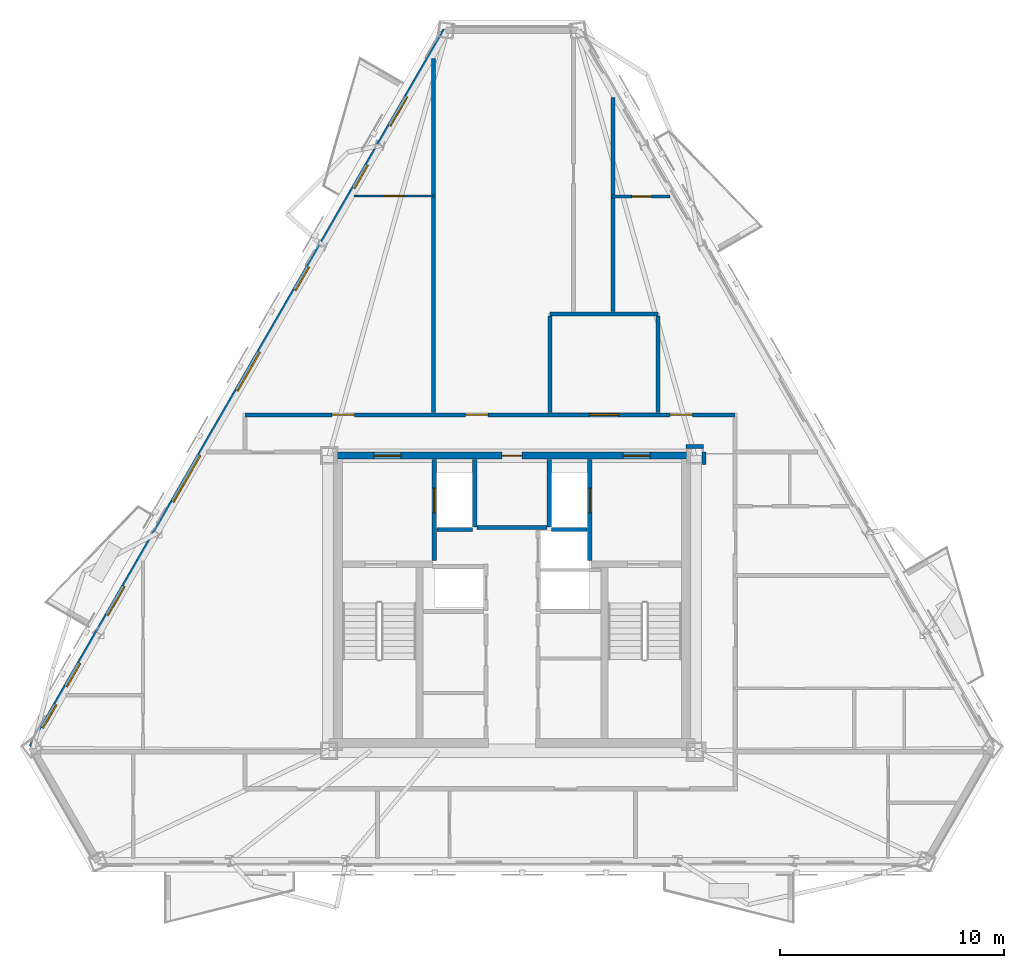
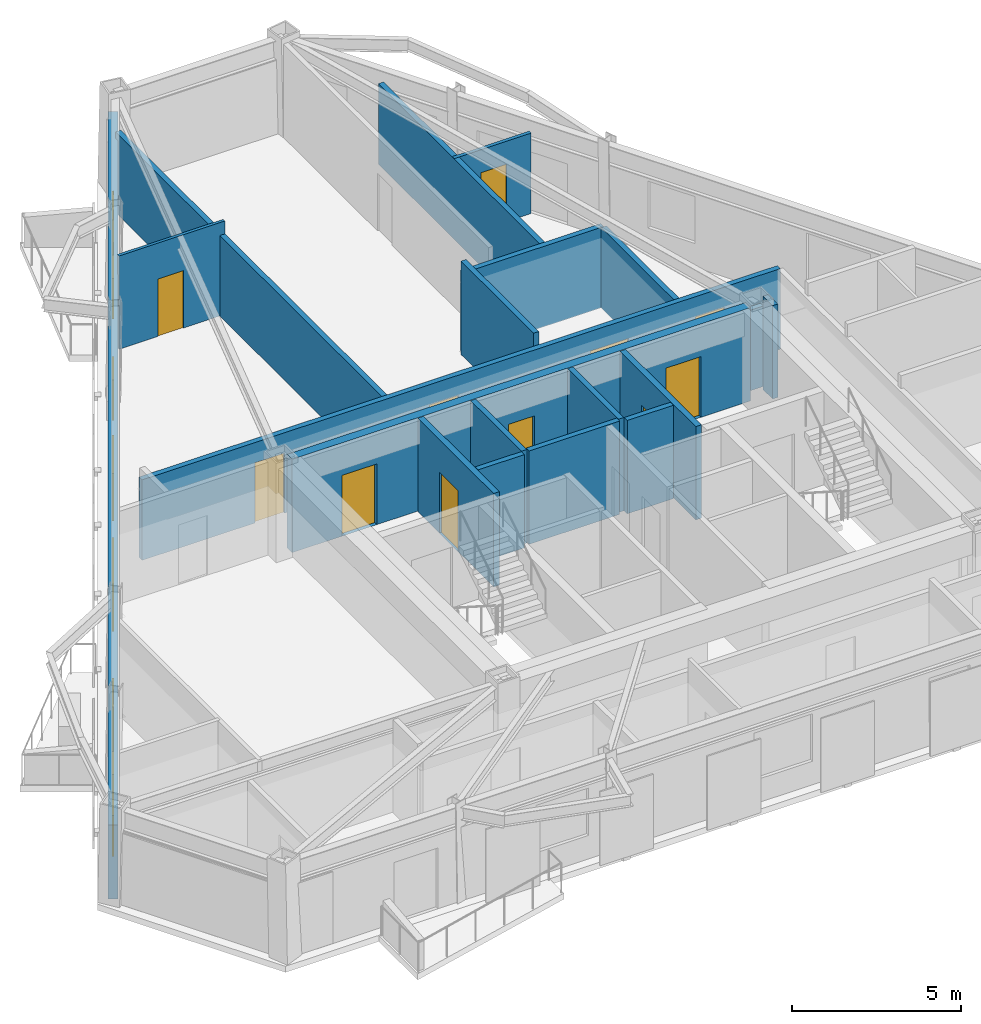
# One storey, part 4 of 9: 19 walls, 13 doors, 6 windows, 19 openings.
"""IFC4 building model written with IfcOpenShell, lengths in metres."""

from ifc_helpers import new_model, si_unit, direction, frame, frame_2d, origin, place, context, subcontext, project, spatial, rectangle, extrude, material, layer, layer_set, type_object, element, fill, save


model = new_model("IFC4")

# Units and contexts
model_context = context("Model", 3, precision=1e-05, world=origin(), true_north=direction((0.0, 1.0)))
body_context = subcontext(model_context, "Body", "Model", "MODEL_VIEW")
ifc_project = project(units=[si_unit("LENGTHUNIT", "METRE"), si_unit("AREAUNIT", "SQUARE_METRE"), si_unit("VOLUMEUNIT", "CUBIC_METRE"), si_unit("PLANEANGLEUNIT", "RADIAN"), si_unit("MASSUNIT", "GRAM", prefix="KILO")], contexts=[model_context])

# Site, building, storey
site_placement = place(None, origin())
site = spatial("IfcSite", under=ifc_project, at=site_placement, CompositionType="ELEMENT")
building_placement = place(site_placement, origin())
building = spatial("IfcBuilding", under=site, at=building_placement, Name="Oramaril Tower", CompositionType="ELEMENT")
storey_placement = place(building_placement, frame((0.0, 0.0, 237.89990234375)))
storey = spatial("IfcBuildingStorey", under=building, at=storey_placement, Name="L63", CompositionType="ELEMENT", Elevation=237.89990234375)

# Wall, openings, doors, windows
ifc_material_1 = material(Name="Warm Cream Limestone", Category="masonry")
ifc_layer_1 = layer(ifc_material_1, 0.2900390625)
ifc_layer_set_1 = layer_set([ifc_layer_1], Name="WT-EXT29")
wall_type_1 = type_object("IfcWallType", Name="WT-EXT29", PredefinedType="SOLIDWALL", material=ifc_layer_set_1)
wall_1_placement = place(storey_placement, frame((34.550537109375, 43.10693359375, 0.0), z_axis=(0.0, 0.0, 1.0), x_axis=(-0.500002325133, -0.866024061364, 0.0)))
wall_1 = element("IfcWall", 1, at=wall_1_placement, inside=storey, type_object=wall_type_1, Name="L63 Tower Limestone Facade Wall 6M", PredefinedType="SOLIDWALL", context=body_context, shape_type="SweptSolid", body=[
    extrude(rectangle(XDim=36.899658203125, YDim=0.2900390625, at=frame_2d((18.44970703125, 0.0))), origin(), (0.0, 0.0, 1.0), 2.677001953125),
])
opening_1_placement = place(wall_1_placement, frame((3.429443359375, 0.0, 0.0)))
opening_1 = element("IfcOpeningElement", 2, at=opening_1_placement, cuts=wall_1, Name="Opening D-L63-BAL-NW1", PredefinedType="OPENING", context=body_context, shape_type="SweptSolid", body=[
    extrude(rectangle(XDim=1.5, YDim=2.199951171875, at=frame_2d((0.75, 1.10009765625))), frame((0.0, 0.14501953125, 0.0), z_axis=(0.0, -1.0, 0.0), x_axis=(1.0, 0.0, 0.0)), (0.0, 0.0, 1.0), 0.2900390625),
])
opening_2_placement = place(wall_1_placement, frame((28.62548828125, 0.0, 0.0)))
opening_2 = element("IfcOpeningElement", 3, at=opening_2_placement, cuts=wall_1, Name="Opening D-L63-BAL-NW2", PredefinedType="OPENING", context=body_context, shape_type="SweptSolid", body=[
    extrude(rectangle(XDim=1.5, YDim=2.199951171875, at=frame_2d((0.75, 1.10009765625))), frame((0.0, 0.14501953125, 0.0), z_axis=(0.0, -1.0, 0.0), x_axis=(1.0, 0.0, 0.0)), (0.0, 0.0, 1.0), 0.2900390625),
])
opening_3_placement = place(wall_1_placement, frame((21.88720703125, 0.0, 0.85009765625)))
opening_3 = element("IfcOpeningElement", 4, at=opening_3_placement, cuts=wall_1, Name="Opening WN-03", PredefinedType="OPENING", context=body_context, shape_type="SweptSolid", body=[
    extrude(rectangle(XDim=2.39990234375, YDim=1.717041015625, at=frame_2d((1.199951171875, 0.8583984375))), frame((0.0, 0.14501953125, 0.0), z_axis=(0.0, -1.0, 0.0), x_axis=(1.0, 0.0, 0.0)), (0.0, 0.0, 1.0), 0.2900390625),
])
opening_4_placement = place(wall_1_placement, frame((34.7158203125, 0.0, 0.85009765625)))
opening_4 = element("IfcOpeningElement", 5, at=opening_4_placement, cuts=wall_1, Name="Opening WN-09", PredefinedType="OPENING", context=body_context, shape_type="SweptSolid", body=[
    extrude(rectangle(XDim=1.199951171875, YDim=1.47998046875, at=frame_2d((0.60009765625, 0.739990234375))), frame((0.0, 0.14501953125, 0.0), z_axis=(0.0, -1.0, 0.0), x_axis=(1.0, 0.0, 0.0)), (0.0, 0.0, 1.0), 0.2900390625),
])
opening_5_placement = place(wall_1_placement, frame((32.58984375, 0.0, 0.85009765625)))
opening_5 = element("IfcOpeningElement", 6, at=opening_5_placement, cuts=wall_1, Name="Opening WN-09", PredefinedType="OPENING", context=body_context, shape_type="SweptSolid", body=[
    extrude(rectangle(XDim=1.199951171875, YDim=1.47998046875, at=frame_2d((0.60009765625, 0.739990234375))), frame((0.0, 0.14501953125, 0.0), z_axis=(0.0, -1.0, 0.0), x_axis=(1.0, 0.0, 0.0)), (0.0, 0.0, 1.0), 0.2900390625),
])
opening_6_placement = place(wall_1_placement, frame((12.1865234375, 0.0, 0.85009765625)))
opening_6 = element("IfcOpeningElement", 7, at=opening_6_placement, cuts=wall_1, Name="Opening WN-09", PredefinedType="OPENING", context=body_context, shape_type="SweptSolid", body=[
    extrude(rectangle(XDim=1.199951171875, YDim=1.47998046875, at=frame_2d((0.60009765625, 0.739990234375))), frame((0.0, 0.14501953125, 0.0), z_axis=(0.0, -1.0, 0.0), x_axis=(1.0, 0.0, 0.0)), (0.0, 0.0, 1.0), 0.2900390625),
])
opening_7_placement = place(wall_1_placement, frame((16.565185546875, 0.0, 0.85009765625)))
opening_7 = element("IfcOpeningElement", 8, at=opening_7_placement, cuts=wall_1, Name="Opening WN-05", PredefinedType="OPENING", context=body_context, shape_type="SweptSolid", body=[
    extrude(rectangle(XDim=2.0, YDim=1.717041015625, at=frame_2d((1.0, 0.8583984375))), frame((0.0, 0.14501953125, 0.0), z_axis=(0.0, -1.0, 0.0), x_axis=(1.0, 0.0, 0.0)), (0.0, 0.0, 1.0), 0.2900390625),
])
opening_8_placement = place(wall_1_placement, frame((6.939697265625, 0.0, 0.85009765625)))
opening_8 = element("IfcOpeningElement", 9, at=opening_8_placement, cuts=wall_1, Name="Opening WN-09", PredefinedType="OPENING", context=body_context, shape_type="SweptSolid", body=[
    extrude(rectangle(XDim=1.199951171875, YDim=1.47998046875, at=frame_2d((0.60009765625, 0.739990234375))), frame((0.0, 0.14501953125, 0.0), z_axis=(0.0, -1.0, 0.0), x_axis=(1.0, 0.0, 0.0)), (0.0, 0.0, 1.0), 0.2900390625),
])
ifc_material_2 = material(Name="Anodised Aluminium 6063-T6", Category="aluminium")
door_type_1 = type_object("IfcDoorType", Name="DT-BAL", OperationType="NOTDEFINED", PredefinedType="DOOR", material=ifc_material_2)
door_1_placement = place(opening_1_placement, origin())
door_1 = element("IfcDoor", 10, at=door_1_placement, inside=storey, type_object=door_type_1, Name="L63 Balcony Glazed Door L63-BAL-NW1", OperationType="SINGLE_SWING_RIGHT", OverallHeight=2.199951171875, OverallWidth=1.5, PredefinedType="DOOR", context=body_context, shape_type="SweptSolid", body=[
    extrude(rectangle(XDim=1.5, YDim=2.199951171875, at=frame_2d((0.75, 1.10009765625))), frame((0.0, 0.02490234375, 0.0), z_axis=(0.0, -1.0, 0.0), x_axis=(1.0, 0.0, 0.0)), (0.0, 0.0, 1.0), 0.050048828125),
])
fill(opening_1, door_1)
door_2_placement = place(opening_2_placement, origin())
door_2 = element("IfcDoor", 11, at=door_2_placement, inside=storey, type_object=door_type_1, Name="L63 Balcony Glazed Door L63-BAL-NW2", OperationType="SINGLE_SWING_LEFT", OverallHeight=2.199951171875, OverallWidth=1.5, PredefinedType="DOOR", context=body_context, shape_type="SweptSolid", body=[
    extrude(rectangle(XDim=1.5, YDim=2.199951171875, at=frame_2d((0.75, 1.10009765625))), frame((0.0, 0.02490234375, 0.0), z_axis=(0.0, -1.0, 0.0), x_axis=(1.0, 0.0, 0.0)), (0.0, 0.0, 1.0), 0.050048828125),
])
fill(opening_2, door_2)
ifc_material_3 = material(Name="Coastal Low-E Insulated Glass", Category="glass")
window_type_1 = type_object("IfcWindowType", Name="WNT-03", PartitioningType="SINGLE_PANEL", PredefinedType="WINDOW", material=ifc_material_3)
window_1_placement = place(opening_3_placement, origin())
window_1 = element("IfcWindow", 12, at=window_1_placement, inside=storey, type_object=window_type_1, Name="L63 Chicago Bay Window WN-03", OverallHeight=1.717041015625, OverallWidth=2.39990234375, PartitioningType="SINGLE_PANEL", PredefinedType="WINDOW", context=body_context, shape_type="SweptSolid", body=[
    extrude(rectangle(XDim=2.39990234375, YDim=1.717041015625, at=frame_2d((1.199951171875, 0.8583984375))), frame((0.0, 0.030029296875, 0.0), z_axis=(0.0, -1.0, 0.0), x_axis=(1.0, 0.0, 0.0)), (0.0, 0.0, 1.0), 0.06005859375),
])
fill(opening_3, window_1)
ifc_material_4 = material(Name="Coastal Low-E Insulated Glass", Category="glass")
window_type_2 = type_object("IfcWindowType", Name="WNT-05", PartitioningType="SINGLE_PANEL", PredefinedType="WINDOW", material=ifc_material_4)
window_2_placement = place(opening_7_placement, origin())
window_2 = element("IfcWindow", 13, at=window_2_placement, inside=storey, type_object=window_type_2, Name="L63 Chicago Bay Window WN-05", OverallHeight=1.717041015625, OverallWidth=2.0, PartitioningType="SINGLE_PANEL", PredefinedType="WINDOW", context=body_context, shape_type="SweptSolid", body=[
    extrude(rectangle(XDim=2.0, YDim=1.717041015625, at=frame_2d((1.0, 0.8583984375))), frame((0.0, 0.030029296875, 0.0), z_axis=(0.0, -1.0, 0.0), x_axis=(1.0, 0.0, 0.0)), (0.0, 0.0, 1.0), 0.06005859375),
])
fill(opening_7, window_2)
ifc_material_5 = material(Name="Coastal Low-E Insulated Glass", Category="glass")
window_type_3 = type_object("IfcWindowType", Name="WNT-09", PartitioningType="SINGLE_PANEL", PredefinedType="WINDOW", material=ifc_material_5)
window_3_placement = place(opening_4_placement, origin())
window_3 = element("IfcWindow", 14, at=window_3_placement, inside=storey, type_object=window_type_3, Name="L63 Chicago Bay Window WN-09", OverallHeight=1.47998046875, OverallWidth=1.199951171875, PartitioningType="SINGLE_PANEL", PredefinedType="WINDOW", context=body_context, shape_type="SweptSolid", body=[
    extrude(rectangle(XDim=1.199951171875, YDim=1.47998046875, at=frame_2d((0.60009765625, 0.739990234375))), frame((0.0, 0.030029296875, 0.0), z_axis=(0.0, -1.0, 0.0), x_axis=(1.0, 0.0, 0.0)), (0.0, 0.0, 1.0), 0.06005859375),
])
fill(opening_4, window_3)
window_4_placement = place(opening_5_placement, origin())
window_4 = element("IfcWindow", 15, at=window_4_placement, inside=storey, type_object=window_type_3, Name="L63 Chicago Bay Window WN-09", OverallHeight=1.47998046875, OverallWidth=1.199951171875, PartitioningType="SINGLE_PANEL", PredefinedType="WINDOW", context=body_context, shape_type="SweptSolid", body=[
    extrude(rectangle(XDim=1.199951171875, YDim=1.47998046875, at=frame_2d((0.60009765625, 0.739990234375))), frame((0.0, 0.030029296875, 0.0), z_axis=(0.0, -1.0, 0.0), x_axis=(1.0, 0.0, 0.0)), (0.0, 0.0, 1.0), 0.06005859375),
])
fill(opening_5, window_4)
window_5_placement = place(opening_6_placement, origin())
window_5 = element("IfcWindow", 16, at=window_5_placement, inside=storey, type_object=window_type_3, Name="L63 Chicago Bay Window WN-09", OverallHeight=1.47998046875, OverallWidth=1.199951171875, PartitioningType="SINGLE_PANEL", PredefinedType="WINDOW", context=body_context, shape_type="SweptSolid", body=[
    extrude(rectangle(XDim=1.199951171875, YDim=1.47998046875, at=frame_2d((0.60009765625, 0.739990234375))), frame((0.0, 0.030029296875, 0.0), z_axis=(0.0, -1.0, 0.0), x_axis=(1.0, 0.0, 0.0)), (0.0, 0.0, 1.0), 0.06005859375),
])
fill(opening_6, window_5)
window_6_placement = place(opening_8_placement, origin())
window_6 = element("IfcWindow", 17, at=window_6_placement, inside=storey, type_object=window_type_3, Name="L63 Chicago Bay Window WN-09", OverallHeight=1.47998046875, OverallWidth=1.199951171875, PartitioningType="SINGLE_PANEL", PredefinedType="WINDOW", context=body_context, shape_type="SweptSolid", body=[
    extrude(rectangle(XDim=1.199951171875, YDim=1.47998046875, at=frame_2d((0.60009765625, 0.739990234375))), frame((0.0, 0.030029296875, 0.0), z_axis=(0.0, -1.0, 0.0), x_axis=(1.0, 0.0, 0.0)), (0.0, 0.0, 1.0), 0.06005859375),
])
fill(opening_8, window_6)

# Wall, opening, door
ifc_material_6 = material(Name="Acoustic Gypsum Board Partition")
ifc_layer_2 = layer(ifc_material_6, 0.10009765625)
ifc_layer_set_2 = layer_set([ifc_layer_2], Name="WT-PT10")
wall_type_2 = type_object("IfcWallType", Name="WT-PT10", PredefinedType="PARTITIONING", material=ifc_layer_set_2)
wall_2_placement = place(storey_placement, frame((30.457763671875, 35.719970703125, 0.0), z_axis=(0.0, 0.0, 1.0), x_axis=(1.0, 0.0, 0.0)))
wall_2 = element("IfcWall", 18, at=wall_2_placement, inside=storey, type_object=wall_type_2, Name="L63 Interior Partition PT-10", PredefinedType="PARTITIONING", context=body_context, shape_type="SweptSolid", body=[
    extrude(rectangle(XDim=3.624267578125, YDim=0.10009765625, at=frame_2d((1.81201171875, 0.0))), origin(), (0.0, 0.0, 1.0), 3.380126953125),
])
opening_9_placement = place(wall_2_placement, frame((1.330078125, 0.0, 0.0)))
opening_9 = element("IfcOpeningElement", 19, at=opening_9_placement, cuts=wall_2, Name="Opening D-L63-15", PredefinedType="OPENING", context=body_context, shape_type="SweptSolid", body=[
    extrude(rectangle(XDim=0.8798828125, YDim=2.080078125, at=frame_2d((0.43994140625, 1.0400390625))), frame((0.0, 0.050048828125, 0.0), z_axis=(0.0, -1.0, 0.0), x_axis=(1.0, 0.0, 0.0)), (0.0, 0.0, 1.0), 0.10009765625),
])
ifc_material_7 = material(Name="FSC Brazilian Freijo Hardwood", Category="wood")
door_type_2 = type_object("IfcDoorType", Name="DT-BATH", OperationType="NOTDEFINED", PredefinedType="DOOR", material=ifc_material_7)
door_3_placement = place(opening_9_placement, origin())
door_3 = element("IfcDoor", 20, at=door_3_placement, inside=storey, type_object=door_type_2, Name="L63 Flat L63-U7 Bathroom Door D-L63-15", OperationType="SINGLE_SWING_LEFT", OverallHeight=2.080078125, OverallWidth=0.8798828125, PredefinedType="DOOR", context=body_context, shape_type="SweptSolid", body=[
    extrude(rectangle(XDim=0.8798828125, YDim=2.080078125, at=frame_2d((0.43994140625, 1.0400390625))), frame((0.0, 0.02490234375, 0.0), z_axis=(0.0, -1.0, 0.0), x_axis=(1.0, 0.0, 0.0)), (0.0, 0.0, 1.0), 0.050048828125),
])
fill(opening_9, door_3)

ifc_material_8 = material(Name="Acoustic Gypsum Board Partition")
ifc_layer_3 = layer(ifc_material_8, 0.1201171875)
ifc_layer_set_3 = layer_set([ifc_layer_3], Name="WT-PT12")
wall_type_3 = type_object("IfcWallType", Name="WT-PT12", PredefinedType="PARTITIONING", material=ifc_layer_set_3)
wall_3_placement = place(storey_placement, frame((41.91796875, 35.699951171875, 0.0), z_axis=(0.0, 0.0, 1.0), x_axis=(1.0, 0.0, 0.0)))
wall_3 = element("IfcWall", 21, at=wall_3_placement, inside=storey, type_object=wall_type_3, Name="L63 Interior Partition PT-12", PredefinedType="PARTITIONING", context=body_context, shape_type="SweptSolid", body=[
    extrude(rectangle(XDim=2.6357421875, YDim=0.1201171875, at=frame_2d((1.31787109375, 0.0))), origin(), (0.0, 0.0, 1.0), 2.9130859375),
])
opening_10_placement = place(wall_3_placement, frame((0.919921875, 0.0, 0.0)))
opening_10 = element("IfcOpeningElement", 22, at=opening_10_placement, cuts=wall_3, Name="Opening D-L63-14", PredefinedType="OPENING", context=body_context, shape_type="SweptSolid", body=[
    extrude(rectangle(XDim=0.8798828125, YDim=2.080078125, at=frame_2d((0.43994140625, 1.0400390625))), frame((0.0, 0.06005859375, 0.0), z_axis=(0.0, -1.0, 0.0), x_axis=(1.0, 0.0, 0.0)), (0.0, 0.0, 1.0), 0.1201171875),
])
door_4_placement = place(opening_10_placement, origin())
door_4 = element("IfcDoor", 23, at=door_4_placement, inside=storey, type_object=door_type_2, Name="L63 Flat L63-U9 Bathroom Door D-L63-14", OperationType="SINGLE_SWING_RIGHT", OverallHeight=2.080078125, OverallWidth=0.8798828125, PredefinedType="DOOR", context=body_context, shape_type="SweptSolid", body=[
    extrude(rectangle(XDim=0.8798828125, YDim=2.080078125, at=frame_2d((0.43994140625, 1.0400390625))), frame((0.0, 0.02490234375, 0.0), z_axis=(0.0, -1.0, 0.0), x_axis=(1.0, 0.0, 0.0)), (0.0, 0.0, 1.0), 0.050048828125),
])
fill(opening_10, door_4)

# Walls
ifc_material_9 = material(Name="Autoclaved Cellular Concrete Block", Category="concrete")
ifc_layer_4 = layer(ifc_material_9, 0.179931640625)
ifc_layer_set_4 = layer_set([ifc_layer_4], Name="WT-PT18")
wall_type_4 = type_object("IfcWallType", Name="WT-PT18", PredefinedType="PARTITIONING", material=ifc_layer_set_4)
wall_4_placement = place(storey_placement, frame((35.840087890625, 20.9599609375, 0.0), z_axis=(0.0, 0.0, 1.0), x_axis=(0.0, 1.0, 0.0)))
element("IfcWall", 24, at=wall_4_placement, inside=storey, type_object=wall_type_4, Name="L63 FL-1 East Shaft Wall", PredefinedType="PARTITIONING", context=body_context, shape_type="SweptSolid", body=[
    extrude(rectangle(XDim=3.02001953125, YDim=0.179931640625, at=frame_2d((1.510009765625, 0.0))), origin(), (0.0, 0.0, 1.0), 3.380126953125),
])
wall_5_placement = place(storey_placement, frame((34.159912109375, 20.860107421875, 0.0), z_axis=(0.0, 0.0, 1.0), x_axis=(1.0, 0.0, 0.0)))
element("IfcWall", 25, at=wall_5_placement, inside=storey, type_object=wall_type_4, Name="L63 FL-1 South Shaft Wall", PredefinedType="PARTITIONING", context=body_context, shape_type="SweptSolid", body=[
    extrude(rectangle(XDim=1.580078125, YDim=0.179931640625, at=frame_2d((0.7900390625, 0.0))), origin(), (0.0, 0.0, 1.0), 3.380126953125),
])
wall_6_placement = place(storey_placement, frame((39.159912109375, 20.9599609375, 0.0), z_axis=(0.0, 0.0, 1.0), x_axis=(0.0, 1.0, 0.0)))
element("IfcWall", 26, at=wall_6_placement, inside=storey, type_object=wall_type_4, Name="L63 FL-2 West Shaft Wall", PredefinedType="PARTITIONING", context=body_context, shape_type="SweptSolid", body=[
    extrude(rectangle(XDim=3.02001953125, YDim=0.179931640625, at=frame_2d((1.510009765625, 0.0))), origin(), (0.0, 0.0, 1.0), 3.380126953125),
])
wall_7_placement = place(storey_placement, frame((39.260009765625, 20.860107421875, 0.0), z_axis=(0.0, 0.0, 1.0), x_axis=(1.0, 0.0, 0.0)))
element("IfcWall", 27, at=wall_7_placement, inside=storey, type_object=wall_type_4, Name="L63 FL-2 South Shaft Wall", PredefinedType="PARTITIONING", context=body_context, shape_type="SweptSolid", body=[
    extrude(rectangle(XDim=1.580078125, YDim=0.179931640625, at=frame_2d((0.7900390625, 0.0))), origin(), (0.0, 0.0, 1.0), 3.380126953125),
])
wall_8_placement = place(storey_placement, frame((35.949951171875, 20.949951171875, 0.0), z_axis=(0.0, 0.0, 1.0), x_axis=(1.0, 0.0, 0.0)))
element("IfcWall", 28, at=wall_8_placement, inside=storey, type_object=wall_type_4, Name="L63 Lift Lobby North Partition", PredefinedType="PARTITIONING", context=body_context, shape_type="SweptSolid", body=[
    extrude(rectangle(XDim=3.10009765625, YDim=0.179931640625, at=frame_2d((1.550048828125, 0.0))), origin(), (0.0, 0.0, 1.0), 3.380126953125),
])
wall_9_placement = place(storey_placement, frame((45.2548828125, 24.550048828125, 0.0), z_axis=(0.0, 0.0, 1.0), x_axis=(1.0, 0.0, 0.0)))
element("IfcWall", 29, at=wall_9_placement, inside=storey, type_object=wall_type_4, Name="L63 Interior Partition PT-18", PredefinedType="PARTITIONING", context=body_context, shape_type="SweptSolid", body=[
    extrude(rectangle(XDim=0.7900390625, YDim=0.179931640625, at=frame_2d((0.39501953125, 0.0))), origin(), (0.0, 0.0, 1.0), 2.9130859375),
])

# Wall, openings, doors
wall_10_placement = place(storey_placement, frame((25.60009765625, 25.969970703125, 0.0), z_axis=(0.0, 0.0, 1.0), x_axis=(1.0, 0.0, 0.0)))
wall_10 = element("IfcWall", 30, at=wall_10_placement, inside=storey, type_object=wall_type_4, Name="L63 Interior Partition PT-18", PredefinedType="PARTITIONING", context=body_context, shape_type="SweptSolid", body=[
    extrude(rectangle(XDim=21.849853515625, YDim=0.179931640625, at=frame_2d((10.9248046875, 0.0))), origin(), (0.0, 0.0, 1.0), 2.9130859375),
])
opening_11_placement = place(wall_10_placement, frame((3.8701171875, 0.0, 0.0)))
opening_11 = element("IfcOpeningElement", 31, at=opening_11_placement, cuts=wall_10, Name="Opening D-L63-10", PredefinedType="OPENING", context=body_context, shape_type="SweptSolid", body=[
    extrude(rectangle(XDim=1.0, YDim=2.179931640625, at=frame_2d((0.5, 1.08984375))), frame((0.0, 0.08984375, 0.0), z_axis=(0.0, -1.0, 0.0), x_axis=(1.0, 0.0, 0.0)), (0.0, 0.0, 1.0), 0.179931640625),
])
opening_12_placement = place(wall_10_placement, frame((9.832763671875, 0.0, 0.0)))
opening_12 = element("IfcOpeningElement", 32, at=opening_12_placement, cuts=wall_10, Name="Opening D-L63-11", PredefinedType="OPENING", context=body_context, shape_type="SweptSolid", body=[
    extrude(rectangle(XDim=1.0, YDim=2.179931640625, at=frame_2d((0.5, 1.08984375))), frame((0.0, 0.08984375, 0.0), z_axis=(0.0, -1.0, 0.0), x_axis=(1.0, 0.0, 0.0)), (0.0, 0.0, 1.0), 0.179931640625),
])
opening_13_placement = place(wall_10_placement, frame((15.35009765625, 0.0, 0.0)))
opening_13 = element("IfcOpeningElement", 33, at=opening_13_placement, cuts=wall_10, Name="Opening D-L63-12", PredefinedType="OPENING", context=body_context, shape_type="SweptSolid", body=[
    extrude(rectangle(XDim=1.300048828125, YDim=2.199951171875, at=frame_2d((0.64990234375, 1.10009765625))), frame((0.0, 0.08984375, 0.0), z_axis=(0.0, -1.0, 0.0), x_axis=(1.0, 0.0, 0.0)), (0.0, 0.0, 1.0), 0.179931640625),
])
opening_14_placement = place(wall_10_placement, frame((18.9404296875, 0.0, 0.0)))
opening_14 = element("IfcOpeningElement", 34, at=opening_14_placement, cuts=wall_10, Name="Opening D-L63-13", PredefinedType="OPENING", context=body_context, shape_type="SweptSolid", body=[
    extrude(rectangle(XDim=1.0, YDim=2.179931640625, at=frame_2d((0.5, 1.08984375))), frame((0.0, 0.08984375, 0.0), z_axis=(0.0, -1.0, 0.0), x_axis=(1.0, 0.0, 0.0)), (0.0, 0.0, 1.0), 0.179931640625),
])
ifc_material_10 = material(Name="FSC Brazilian Freijo Hardwood", Category="wood")
door_type_3 = type_object("IfcDoorType", Name="DT-APT", OperationType="NOTDEFINED", PredefinedType="DOOR", material=ifc_material_10)
door_5_placement = place(opening_11_placement, origin())
door_5 = element("IfcDoor", 35, at=door_5_placement, inside=storey, type_object=door_type_3, Name="L63 Flat L63-U7 Kitchen and Studio Apartment Door D-L63-10", OperationType="SINGLE_SWING_RIGHT", OverallHeight=2.179931640625, OverallWidth=1.0, PredefinedType="DOOR", context=body_context, shape_type="SweptSolid", body=[
    extrude(rectangle(XDim=1.0, YDim=2.179931640625, at=frame_2d((0.5, 1.08984375))), frame((0.0, 0.02490234375, 0.0), z_axis=(0.0, -1.0, 0.0), x_axis=(1.0, 0.0, 0.0)), (0.0, 0.0, 1.0), 0.050048828125),
])
fill(opening_11, door_5)
door_6_placement = place(opening_12_placement, origin())
door_6 = element("IfcDoor", 36, at=door_6_placement, inside=storey, type_object=door_type_3, Name="L63 Flat L63-U8 Kitchen and Studio Apartment Door D-L63-11", OperationType="SINGLE_SWING_LEFT", OverallHeight=2.179931640625, OverallWidth=1.0, PredefinedType="DOOR", context=body_context, shape_type="SweptSolid", body=[
    extrude(rectangle(XDim=1.0, YDim=2.179931640625, at=frame_2d((0.5, 1.08984375))), frame((0.0, 0.02490234375, 0.0), z_axis=(0.0, -1.0, 0.0), x_axis=(1.0, 0.0, 0.0)), (0.0, 0.0, 1.0), 0.050048828125),
])
fill(opening_12, door_6)
door_7_placement = place(opening_14_placement, origin())
door_7 = element("IfcDoor", 37, at=door_7_placement, inside=storey, type_object=door_type_3, Name="L63 Flat L63-U9 Kitchen and Studio Apartment Door D-L63-13", OperationType="SINGLE_SWING_LEFT", OverallHeight=2.179931640625, OverallWidth=1.0, PredefinedType="DOOR", context=body_context, shape_type="SweptSolid", body=[
    extrude(rectangle(XDim=1.0, YDim=2.179931640625, at=frame_2d((0.5, 1.08984375))), frame((0.0, 0.02490234375, 0.0), z_axis=(0.0, -1.0, 0.0), x_axis=(1.0, 0.0, 0.0)), (0.0, 0.0, 1.0), 0.050048828125),
])
fill(opening_14, door_7)
ifc_material_11 = material(Name="FSC Brazilian Freijo Hardwood", Category="wood")
door_type_4 = type_object("IfcDoorType", Name="DT-COM", OperationType="NOTDEFINED", PredefinedType="DOOR", material=ifc_material_11)
door_8_placement = place(opening_13_placement, origin())
door_8 = element("IfcDoor", 38, at=door_8_placement, inside=storey, type_object=door_type_4, Name="L63 L63 Floor Co-Working Office Suite Door D-L63-12", OperationType="SINGLE_SWING_RIGHT", OverallHeight=2.199951171875, OverallWidth=1.300048828125, PredefinedType="DOOR", context=body_context, shape_type="SweptSolid", body=[
    extrude(rectangle(XDim=1.300048828125, YDim=2.199951171875, at=frame_2d((0.64990234375, 1.10009765625))), frame((0.0, 0.02490234375, 0.0), z_axis=(0.0, -1.0, 0.0), x_axis=(1.0, 0.0, 0.0)), (0.0, 0.0, 1.0), 0.050048828125),
])
fill(opening_13, door_8)

# Walls
wall_11_placement = place(storey_placement, frame((39.199951171875, 30.469970703125, 0.0), z_axis=(0.0, 0.0, 1.0), x_axis=(1.0, 0.0, 0.0)))
element("IfcWall", 39, at=wall_11_placement, inside=storey, type_object=wall_type_4, Name="L63 Interior Partition PT-18", PredefinedType="PARTITIONING", context=body_context, shape_type="SweptSolid", body=[
    extrude(rectangle(XDim=4.800048828125, YDim=0.179931640625, at=frame_2d((2.39990234375, 0.0))), origin(), (0.0, 0.0, 1.0), 2.9130859375),
])
wall_12_placement = place(storey_placement, frame((34.0, 26.06396484375, 0.0), z_axis=(0.0, 0.0, 1.0), x_axis=(0.0, 1.0, 0.0)))
element("IfcWall", 40, at=wall_12_placement, inside=storey, type_object=wall_type_4, Name="L63 Interior Partition PT-18", PredefinedType="PARTITIONING", context=body_context, shape_type="SweptSolid", body=[
    extrude(rectangle(XDim=15.791259765625, YDim=0.179931640625, at=frame_2d((7.8955078125, 0.0))), origin(), (0.0, 0.0, 1.0), 2.9130859375),
])
wall_13_placement = place(storey_placement, frame((39.199951171875, 26.06396484375, 0.0), z_axis=(0.0, 0.0, 1.0), x_axis=(0.0, 1.0, 0.0)))
element("IfcWall", 41, at=wall_13_placement, inside=storey, type_object=wall_type_4, Name="L63 Interior Partition PT-18", PredefinedType="PARTITIONING", context=body_context, shape_type="SweptSolid", body=[
    extrude(rectangle(XDim=4.31201171875, YDim=0.179931640625, at=frame_2d((2.156005859375, 0.0))), origin(), (0.0, 0.0, 1.0), 3.380126953125),
])
wall_14_placement = place(storey_placement, frame((42.0, 30.56396484375, 0.0), z_axis=(0.0, 0.0, 1.0), x_axis=(0.0, 1.0, 0.0)))
element("IfcWall", 42, at=wall_14_placement, inside=storey, type_object=wall_type_4, Name="L63 Interior Partition PT-18", PredefinedType="PARTITIONING", context=body_context, shape_type="SweptSolid", body=[
    extrude(rectangle(XDim=9.559326171875, YDim=0.179931640625, at=frame_2d((4.77978515625, 0.0))), origin(), (0.0, 0.0, 1.0), 2.9130859375),
])
wall_15_placement = place(storey_placement, frame((44.0, 26.06396484375, 0.0), z_axis=(0.0, 0.0, 1.0), x_axis=(0.0, 1.0, 0.0)))
element("IfcWall", 43, at=wall_15_placement, inside=storey, type_object=wall_type_4, Name="L63 Interior Partition PT-18", PredefinedType="PARTITIONING", context=body_context, shape_type="SweptSolid", body=[
    extrude(rectangle(XDim=4.31201171875, YDim=0.179931640625, at=frame_2d((2.156005859375, 0.0))), origin(), (0.0, 0.0, 1.0), 2.9130859375),
])
wall_16_placement = place(storey_placement, frame((46.050048828125, 23.7548828125, 0.0), z_axis=(0.0, 0.0, 1.0), x_axis=(0.0, 1.0, 0.0)))
element("IfcWall", 44, at=wall_16_placement, inside=storey, type_object=wall_type_4, Name="L63 Interior Partition PT-18", PredefinedType="PARTITIONING", context=body_context, shape_type="SweptSolid", body=[
    extrude(rectangle(XDim=0.565185546875, YDim=0.179931640625, at=frame_2d((0.28271484375, 0.0))), origin(), (0.0, 0.0, 1.0), 3.380126953125),
])

# Wall, openings, doors
ifc_material_12 = material(Name="Concrete C50/60", Category="concrete")
ifc_layer_5 = layer(ifc_material_12, 0.300048828125)
ifc_layer_set_5 = layer_set([ifc_layer_5], Name="WT-SH30")
wall_type_5 = type_object("IfcWallType", Name="WT-SH30", PredefinedType="SHEAR", material=ifc_layer_set_5)
wall_17_placement = place(storey_placement, frame((29.64990234375, 24.14990234375, 0.0), z_axis=(0.0, 0.0, 1.0), x_axis=(1.0, 0.0, 0.0)))
wall_17 = element("IfcWall", 45, at=wall_17_placement, inside=storey, type_object=wall_type_5, Name="L63 Core Shear Wall CW-N", PredefinedType="SHEAR", context=body_context, shape_type="SweptSolid", body=[
    extrude(rectangle(XDim=15.7001953125, YDim=0.300048828125, at=frame_2d((7.85009765625, 0.0))), origin(), (0.0, 0.0, 1.0), 3.380126953125),
])
opening_15_placement = place(wall_17_placement, frame((1.699951171875, 0.0, 0.0)))
opening_15 = element("IfcOpeningElement", 46, at=opening_15_placement, cuts=wall_17, Name="Opening D-L63-FFL1", PredefinedType="OPENING", context=body_context, shape_type="SweptSolid", body=[
    extrude(rectangle(XDim=1.199951171875, YDim=2.199951171875, at=frame_2d((0.60009765625, 1.10009765625))), frame((0.0, 0.14990234375, 0.0), z_axis=(0.0, -1.0, 0.0), x_axis=(1.0, 0.0, 0.0)), (0.0, 0.0, 1.0), 0.300048828125),
])
opening_16_placement = place(wall_17_placement, frame((12.800048828125, 0.0, 0.0)))
opening_16 = element("IfcOpeningElement", 47, at=opening_16_placement, cuts=wall_17, Name="Opening D-L63-FFL2", PredefinedType="OPENING", context=body_context, shape_type="SweptSolid", body=[
    extrude(rectangle(XDim=1.199951171875, YDim=2.199951171875, at=frame_2d((0.60009765625, 1.10009765625))), frame((0.0, 0.14990234375, 0.0), z_axis=(0.0, -1.0, 0.0), x_axis=(1.0, 0.0, 0.0)), (0.0, 0.0, 1.0), 0.300048828125),
])
opening_17_placement = place(wall_17_placement, frame((7.39990234375, 0.0, 0.0)))
opening_17 = element("IfcOpeningElement", 48, at=opening_17_placement, cuts=wall_17, Name="Opening D-L63-SV1", PredefinedType="OPENING", context=body_context, shape_type="SweptSolid", body=[
    extrude(rectangle(XDim=0.89990234375, YDim=2.050048828125, at=frame_2d((0.449951171875, 1.02490234375))), frame((0.0, 0.14990234375, 0.0), z_axis=(0.0, -1.0, 0.0), x_axis=(1.0, 0.0, 0.0)), (0.0, 0.0, 1.0), 0.300048828125),
])
ifc_material_13 = material(Name="Painted Galvanised Steel", Category="steel")
door_type_5 = type_object("IfcDoorType", Name="DT-FFL", OperationType="NOTDEFINED", PredefinedType="DOOR", material=ifc_material_13)
door_9_placement = place(opening_15_placement, origin())
door_9 = element("IfcDoor", 49, at=door_9_placement, inside=storey, type_object=door_type_5, Name="L63 Firefighting Lobby 1 Fire Door", OperationType="SINGLE_SWING_LEFT", OverallHeight=2.199951171875, OverallWidth=1.199951171875, PredefinedType="DOOR", context=body_context, shape_type="SweptSolid", body=[
    extrude(rectangle(XDim=1.199951171875, YDim=2.199951171875, at=frame_2d((0.60009765625, 1.10009765625))), frame((0.0, 0.02490234375, 0.0), z_axis=(0.0, -1.0, 0.0), x_axis=(1.0, 0.0, 0.0)), (0.0, 0.0, 1.0), 0.050048828125),
])
fill(opening_15, door_9)
door_10_placement = place(opening_16_placement, origin())
door_10 = element("IfcDoor", 50, at=door_10_placement, inside=storey, type_object=door_type_5, Name="L63 Firefighting Lobby 2 Fire Door", OperationType="SINGLE_SWING_RIGHT", OverallHeight=2.199951171875, OverallWidth=1.199951171875, PredefinedType="DOOR", context=body_context, shape_type="SweptSolid", body=[
    extrude(rectangle(XDim=1.199951171875, YDim=2.199951171875, at=frame_2d((0.60009765625, 1.10009765625))), frame((0.0, 0.02490234375, 0.0), z_axis=(0.0, -1.0, 0.0), x_axis=(1.0, 0.0, 0.0)), (0.0, 0.0, 1.0), 0.050048828125),
])
fill(opening_16, door_10)
ifc_material_14 = material(Name="Painted Galvanised Steel", Category="steel")
door_type_6 = type_object("IfcDoorType", Name="DT-SVC", OperationType="NOTDEFINED", PredefinedType="DOOR", material=ifc_material_14)
door_11_placement = place(opening_17_placement, origin())
door_11 = element("IfcDoor", 51, at=door_11_placement, inside=storey, type_object=door_type_6, Name="L63 Core Janitor Store Door", OperationType="SINGLE_SWING_LEFT", OverallHeight=2.050048828125, OverallWidth=0.89990234375, PredefinedType="DOOR", context=body_context, shape_type="SweptSolid", body=[
    extrude(rectangle(XDim=0.89990234375, YDim=2.050048828125, at=frame_2d((0.449951171875, 1.02490234375))), frame((0.0, 0.02490234375, 0.0), z_axis=(0.0, -1.0, 0.0), x_axis=(1.0, 0.0, 0.0)), (0.0, 0.0, 1.0), 0.050048828125),
])
fill(opening_17, door_11)

# Wall, opening, door
ifc_material_15 = material(Name="Autoclaved Cellular Concrete Block", Category="concrete")
ifc_layer_6 = layer(ifc_material_15, 0.199951171875)
ifc_layer_set_6 = layer_set([ifc_layer_6], Name="WT-SHF20")
wall_type_6 = type_object("IfcWallType", Name="WT-SHF20", PredefinedType="PARTITIONING", material=ifc_layer_set_6)
wall_18_placement = place(storey_placement, frame((34.0400390625, 19.47998046875, 0.0), z_axis=(0.0, 0.0, 1.0), x_axis=(0.0, 1.0, 0.0)))
wall_18 = element("IfcWall", 52, at=wall_18_placement, inside=storey, type_object=wall_type_6, Name="L63 FL-1 Lobby Shaft Wall", PredefinedType="PARTITIONING", context=body_context, shape_type="SweptSolid", body=[
    extrude(rectangle(XDim=4.5, YDim=0.199951171875, at=frame_2d((2.25, 0.0))), origin(), (0.0, 0.0, 1.0), 3.380126953125),
])
opening_18_placement = place(wall_18_placement, frame((2.1201171875, 0.0, 0.0)))
opening_18 = element("IfcOpeningElement", 53, at=opening_18_placement, cuts=wall_18, Name="Opening LD-L63-FL-1", PredefinedType="OPENING", context=body_context, shape_type="SweptSolid", body=[
    extrude(rectangle(XDim=1.10009765625, YDim=2.199951171875, at=frame_2d((0.550048828125, 1.10009765625))), frame((0.0, 0.10009765625, 0.0), z_axis=(0.0, -1.0, 0.0), x_axis=(1.0, 0.0, 0.0)), (0.0, 0.0, 1.0), 0.199951171875),
])
ifc_material_16 = material(Name="Stainless Steel 316L", Category="steel")
door_type_7 = type_object("IfcDoorType", Name="DT-LD1", OperationType="NOTDEFINED", PredefinedType="DOOR", material=ifc_material_16)
door_12_placement = place(opening_18_placement, origin())
door_12 = element("IfcDoor", 54, at=door_12_placement, inside=storey, type_object=door_type_7, Name="L63 Lift FL-1 Sliding Landing Door", OperationType="SLIDING_TO_LEFT", OverallHeight=2.199951171875, OverallWidth=1.10009765625, PredefinedType="DOOR", context=body_context, shape_type="SweptSolid", body=[
    extrude(rectangle(XDim=1.10009765625, YDim=2.199951171875, at=frame_2d((0.550048828125, 1.10009765625))), frame((0.0, 0.02490234375, 0.0), z_axis=(0.0, -1.0, 0.0), x_axis=(1.0, 0.0, 0.0)), (0.0, 0.0, 1.0), 0.050048828125),
])
fill(opening_18, door_12)

wall_19_placement = place(storey_placement, frame((40.9599609375, 19.47998046875, 0.0), z_axis=(0.0, 0.0, 1.0), x_axis=(0.0, 1.0, 0.0)))
wall_19 = element("IfcWall", 55, at=wall_19_placement, inside=storey, type_object=wall_type_6, Name="L63 FL-2 Lobby Shaft Wall", PredefinedType="PARTITIONING", context=body_context, shape_type="SweptSolid", body=[
    extrude(rectangle(XDim=4.5, YDim=0.199951171875, at=frame_2d((2.25, 0.0))), origin(), (0.0, 0.0, 1.0), 3.380126953125),
])
opening_19_placement = place(wall_19_placement, frame((2.1201171875, 0.0, 0.0)))
opening_19 = element("IfcOpeningElement", 56, at=opening_19_placement, cuts=wall_19, Name="Opening LD-L63-FL-2", PredefinedType="OPENING", context=body_context, shape_type="SweptSolid", body=[
    extrude(rectangle(XDim=1.10009765625, YDim=2.199951171875, at=frame_2d((0.550048828125, 1.10009765625))), frame((0.0, 0.10009765625, 0.0), z_axis=(0.0, -1.0, 0.0), x_axis=(1.0, 0.0, 0.0)), (0.0, 0.0, 1.0), 0.199951171875),
])
door_13_placement = place(opening_19_placement, origin())
door_13 = element("IfcDoor", 57, at=door_13_placement, inside=storey, type_object=door_type_7, Name="L63 Lift FL-2 Sliding Landing Door", OperationType="SLIDING_TO_RIGHT", OverallHeight=2.199951171875, OverallWidth=1.10009765625, PredefinedType="DOOR", context=body_context, shape_type="SweptSolid", body=[
    extrude(rectangle(XDim=1.10009765625, YDim=2.199951171875, at=frame_2d((0.550048828125, 1.10009765625))), frame((0.0, 0.02490234375, 0.0), z_axis=(0.0, -1.0, 0.0), x_axis=(1.0, 0.0, 0.0)), (0.0, 0.0, 1.0), 0.050048828125),
])
fill(opening_19, door_13)

save(model, "model.ifc")
